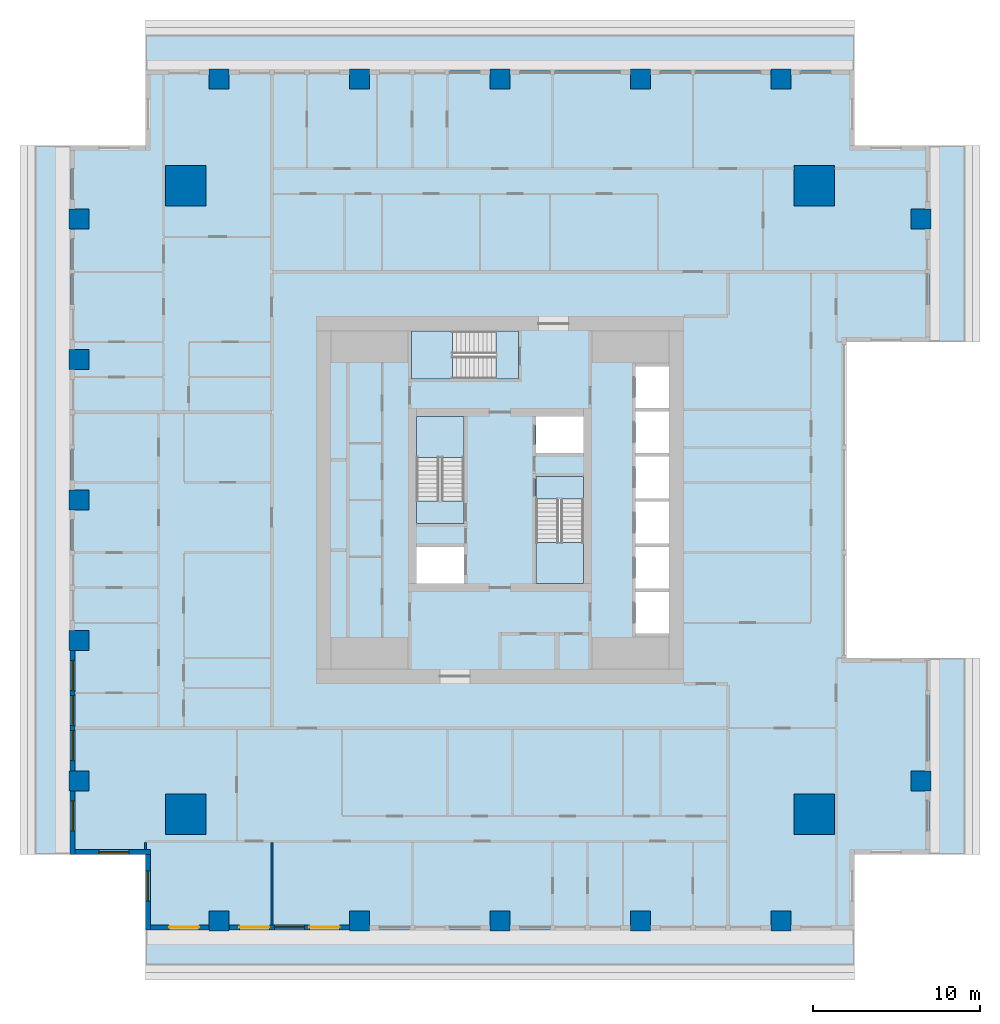
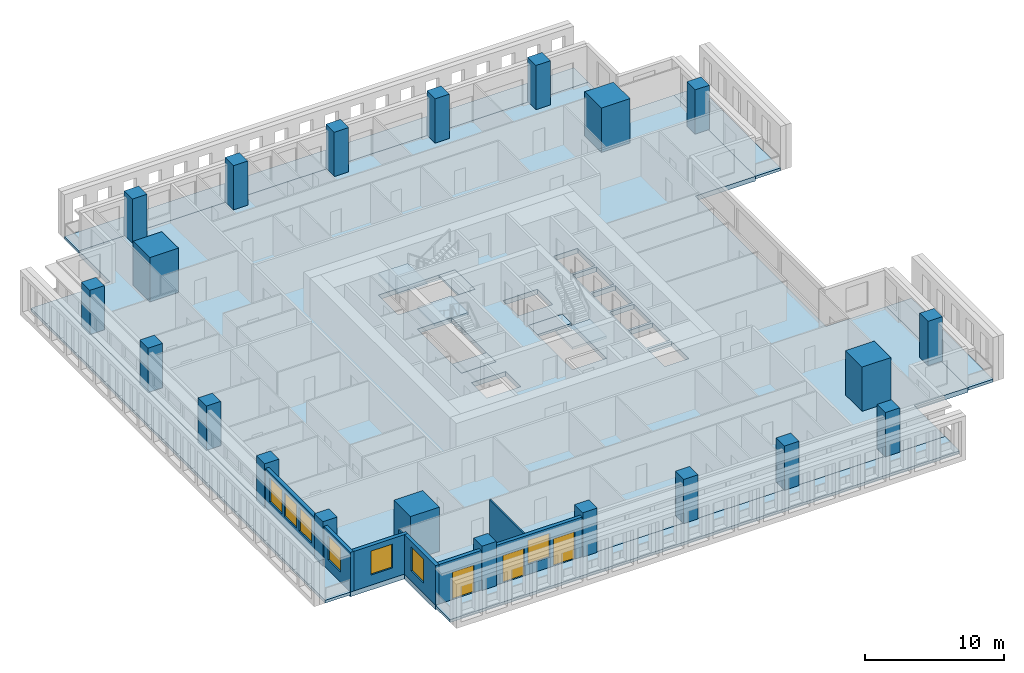
# One storey, part 1 of 15: 21 columns, 12 slabs, 8 walls, 7 windows, 3 doors, 10 openings, 3 elements without a shape of their own.
"""IFC4 building model written with IfcOpenShell, lengths in metres."""

from ifc_helpers import new_model, si_unit, direction, frame, frame_2d, origin, origin_2d, place, context, subcontext, project, spatial, polyline, rectangle, outline, extrude, material, layer, layer_set, material_profile, profile_set, type_object, element, fill, aggregate, save


model = new_model("IFC4")

# Units and contexts
model_context = context("Model", 3, precision=1e-05, world=origin(), true_north=direction((0.0, 1.0)))
body_context = subcontext(model_context, "Body", "Model", "MODEL_VIEW")
ifc_project = project(units=[si_unit("LENGTHUNIT", "METRE"), si_unit("AREAUNIT", "SQUARE_METRE"), si_unit("VOLUMEUNIT", "CUBIC_METRE"), si_unit("PLANEANGLEUNIT", "RADIAN"), si_unit("MASSUNIT", "GRAM", prefix="KILO")], contexts=[model_context])

# Site, building, storey
site_placement = place(None, origin())
site = spatial("IfcSite", under=ifc_project, at=site_placement, CompositionType="ELEMENT")
building_placement = place(site_placement, origin())
building = spatial("IfcBuilding", under=site, at=building_placement, Name="Khepri Terraces", CompositionType="ELEMENT")
storey_placement = place(building_placement, frame((0.0, 0.0, 215.699951171875)))
storey = spatial("IfcBuildingStorey", under=building, at=storey_placement, Name="L51", CompositionType="ELEMENT", Elevation=215.699951171875)

# Columns
ifc_material_1 = material(Name="Concrete C50/60", Category="concrete")
ifc_material_profile_1 = material_profile(ifc_material_1, rectangle(XDim=2.39990234375, YDim=2.39990234375, at=origin_2d()), Name="Concrete C50/60", Category="concrete")
ifc_profile_set_1 = profile_set([ifc_material_profile_1], Name="Concrete C50/60")
column_type_1 = type_object("IfcColumnType", Name="Mega column RC 2400x2400 C50/60", PredefinedType="COLUMN", material=ifc_profile_set_1)
for number, where, z_axis, x_axis, name in (
    (1, (18.800048828125, 18.800048828125, 0.0), (0.0, 0.0, 1.0), (1.0, 0.0, 0.0), "Mega column MEN L51"),
    (2, (18.800048828125, -18.800048828125, 0.0), (0.0, 0.0, 1.0), (1.0, 0.0, 0.0), "Mega column MES L51"),
    (3, (-18.800048828125, 18.800048828125, 0.0), (0.0, 0.0, 1.0), (1.0, 0.0, 0.0), "Mega column MWN L51"),
    (4, (-18.800048828125, -18.800048828125, 0.0), (0.0, 0.0, 1.0), (1.0, 0.0, 0.0), "Mega column MWS L51"),
):
    element("IfcColumn", number, at=place(storey_placement, frame(where, z_axis=z_axis, x_axis=x_axis)), inside=storey, type_object=column_type_1, Name=name, PredefinedType="COLUMN", context=body_context, shape_type="SweptSolid", body=[
        extrude(rectangle(XDim=2.39990234375, YDim=2.39990234375, at=origin_2d()), origin(), (0.0, 0.0, 1.0), 3.900146484375),
    ])
ifc_material_profile_2 = material_profile(ifc_material_1, rectangle(XDim=1.199951171875, YDim=1.199951171875, at=origin_2d()), Name="Concrete C50/60", Category="concrete")
ifc_profile_set_2 = profile_set([ifc_material_profile_2], Name="Concrete C50/60")
column_type_2 = type_object("IfcColumnType", Name="Tower column RC 1200x1200 C50/60", PredefinedType="COLUMN", material=ifc_profile_set_2)
for number, where, z_axis, x_axis, name in (
    (5, (25.199951171875, 16.800048828125, 0.0), (0.0, 0.0, 1.0), (1.0, 0.0, 0.0), "Perimeter column PE+168a L51"),
    (6, (25.199951171875, -16.800048828125, 0.0), (0.0, 0.0, 1.0), (1.0, 0.0, 0.0), "Perimeter column PE-168a L51"),
    (7, (0.0, 25.199951171875, 0.0), (0.0, 0.0, 1.0), (1.0, 0.0, 0.0), "Perimeter column PN+000b L51"),
    (8, (-8.39990234375, 25.199951171875, 0.0), (0.0, 0.0, 1.0), (1.0, 0.0, 0.0), "Perimeter column PN+084b L51"),
    (9, (-16.800048828125, 25.199951171875, 0.0), (0.0, 0.0, 1.0), (1.0, 0.0, 0.0), "Perimeter column PN+168a L51"),
    (10, (8.39990234375, 25.199951171875, 0.0), (0.0, 0.0, 1.0), (1.0, 0.0, 0.0), "Perimeter column PN-084b L51"),
    (11, (16.800048828125, 25.199951171875, 0.0), (0.0, 0.0, 1.0), (1.0, 0.0, 0.0), "Perimeter column PN-168a L51"),
    (12, (0.0, -25.199951171875, 0.0), (0.0, 0.0, 1.0), (1.0, 0.0, 0.0), "Perimeter column PS+000b L51"),
    (13, (8.39990234375, -25.199951171875, 0.0), (0.0, 0.0, 1.0), (1.0, 0.0, 0.0), "Perimeter column PS+084b L51"),
    (14, (16.800048828125, -25.199951171875, 0.0), (0.0, 0.0, 1.0), (1.0, 0.0, 0.0), "Perimeter column PS+168a L51"),
    (15, (-8.39990234375, -25.199951171875, 0.0), (0.0, 0.0, 1.0), (1.0, 0.0, 0.0), "Perimeter column PS-084b L51"),
    (16, (-16.800048828125, -25.199951171875, 0.0), (0.0, 0.0, 1.0), (1.0, 0.0, 0.0), "Perimeter column PS-168a L51"),
    (17, (-25.199951171875, 0.0, 0.0), (0.0, 0.0, 1.0), (1.0, 0.0, 0.0), "Perimeter column PW+000b L51"),
    (18, (-25.199951171875, -8.39990234375, 0.0), (0.0, 0.0, 1.0), (1.0, 0.0, 0.0), "Perimeter column PW+084b L51"),
    (19, (-25.199951171875, -16.800048828125, 0.0), (0.0, 0.0, 1.0), (1.0, 0.0, 0.0), "Perimeter column PW+168a L51"),
    (20, (-25.199951171875, 8.39990234375, 0.0), (0.0, 0.0, 1.0), (1.0, 0.0, 0.0), "Perimeter column PW-084b L51"),
    (21, (-25.199951171875, 16.800048828125, 0.0), (0.0, 0.0, 1.0), (1.0, 0.0, 0.0), "Perimeter column PW-168a L51"),
):
    element("IfcColumn", number, at=place(storey_placement, frame(where, z_axis=z_axis, x_axis=x_axis)), inside=storey, type_object=column_type_2, Name=name, PredefinedType="COLUMN", context=body_context, shape_type="SweptSolid", body=[
        extrude(rectangle(XDim=1.199951171875, YDim=1.199951171875, at=origin_2d()), origin(), (0.0, 0.0, 1.0), 3.900146484375),
    ])

# Slabs
ifc_material_2 = material(Name="Concrete C40/50", Category="concrete")
ifc_layer_1 = layer(ifc_material_2, 0.419921875, Name="Concrete C40/50", Category="concrete")
ifc_layer_set_1 = layer_set([ifc_layer_1], Name="Concrete C40/50")
slab_type_1 = type_object("IfcSlabType", Name="Flat plate 420", PredefinedType="FLOOR", material=ifc_layer_set_1)
slab_1_placement = place(storey_placement, frame((0.0, 0.0, -0.419921875)))
element("IfcSlab", 22, at=slab_1_placement, inside=storey, type_object=slab_type_1, Name="Floor slab F01 L51", PredefinedType="FLOOR", context=body_context, shape_type="SweptSolid", body=[
    extrude(outline(polyline([(25.719970703125, 9.449951171875), (20.719970703125, 9.449951171875), (20.719970703125, -9.449951171875), (25.719970703125, -9.449951171875), (25.719970703125, -21.219970703125), (21.219970703125, -21.219970703125), (21.219970703125, -25.719970703125), (-21.219970703125, -25.719970703125), (-21.219970703125, -21.219970703125), (-25.719970703125, -21.219970703125), (-25.719970703125, 21.219970703125), (-21.219970703125, 21.219970703125), (-21.219970703125, 25.719970703125), (21.219970703125, 25.719970703125), (21.219970703125, 21.219970703125), (25.719970703125, 21.219970703125), (25.719970703125, 9.449951171875)]), holes=[polyline([(2.14990234375, 2.800048828125), (5.0, 2.800048828125), (5.0, 5.0), (2.14990234375, 5.0), (2.14990234375, 2.800048828125)]), polyline([(-5.0, -2.800048828125), (-5.0, -5.0), (-2.14990234375, -5.0), (-2.14990234375, -2.800048828125), (-5.0, -2.800048828125)]), polyline([(10.10009765625, -5.5), (8.10009765625, -5.5), (8.10009765625, -8.0), (10.10009765625, -8.0), (10.10009765625, -5.5)]), polyline([(10.10009765625, -5.300048828125), (10.10009765625, -2.800048828125), (8.10009765625, -2.800048828125), (8.10009765625, -5.300048828125), (10.10009765625, -5.300048828125)]), polyline([(8.10009765625, -2.60009765625), (10.10009765625, -2.60009765625), (10.10009765625, -0.10009765625), (8.10009765625, -0.10009765625), (8.10009765625, -2.60009765625)]), polyline([(8.10009765625, 2.60009765625), (8.10009765625, 0.10009765625), (10.10009765625, 0.10009765625), (10.10009765625, 2.60009765625), (8.10009765625, 2.60009765625)]), polyline([(10.10009765625, 5.300048828125), (8.10009765625, 5.300048828125), (8.10009765625, 2.800048828125), (10.10009765625, 2.800048828125), (10.10009765625, 5.300048828125)]), polyline([(10.10009765625, 5.5), (10.10009765625, 8.0), (8.10009765625, 8.0), (8.10009765625, 5.5), (10.10009765625, 5.5)]), polyline([(-5.0, -1.39990234375), (-2.14990234375, -1.39990234375), (-2.14990234375, 5.0), (-5.0, 5.0), (-5.0, -1.39990234375)]), polyline([(5.0, -5.0), (5.0, 1.39990234375), (2.14990234375, 1.39990234375), (2.14990234375, -5.0), (5.0, -5.0)]), polyline([(-5.300048828125, 10.10009765625), (-5.300048828125, 7.25), (1.10009765625, 7.25), (1.10009765625, 10.10009765625), (-5.300048828125, 10.10009765625)])]), origin(), (0.0, 0.0, 1.0), 0.419921875),
])
ifc_material_3 = material(Name="Precast concrete C50/60 warm stone", Category="masonry")
ifc_layer_2 = layer(ifc_material_3, 0.25, Name="Precast concrete C50/60 warm stone", Category="masonry")
ifc_layer_set_2 = layer_set([ifc_layer_2], Name="Precast concrete C50/60 warm stone")
slab_type_2 = type_object("IfcSlabType", Name="SLB-BALCONY-250", PredefinedType="FLOOR", material=ifc_layer_set_2)
slab_2_placement = place(storey_placement, frame((0.0, 0.0, -0.25)))
element("IfcSlab", 23, at=slab_2_placement, inside=storey, type_object=slab_type_2, Name="Balcony slab L51 S", PredefinedType="FLOOR", context=body_context, shape_type="SweptSolid", body=[
    extrude(outline(polyline([(-17.39990234375, -25.719970703125), (-21.219970703125, -25.719970703125), (-21.219970703125, -27.820068359375), (21.219970703125, -27.820068359375), (21.219970703125, -25.719970703125), (17.39990234375, -25.719970703125), (17.39990234375, -25.800048828125), (16.199951171875, -25.800048828125), (16.199951171875, -25.719970703125), (9.0, -25.719970703125), (9.0, -25.800048828125), (7.800048828125, -25.800048828125), (7.800048828125, -25.719970703125), (0.60009765625, -25.719970703125), (0.60009765625, -25.800048828125), (-0.60009765625, -25.800048828125), (-0.60009765625, -25.719970703125), (-7.800048828125, -25.719970703125), (-7.800048828125, -25.800048828125), (-9.0, -25.800048828125), (-9.0, -25.719970703125), (-16.199951171875, -25.719970703125), (-16.199951171875, -25.800048828125), (-17.39990234375, -25.800048828125), (-17.39990234375, -25.719970703125)])), origin(), (0.0, 0.0, 1.0), 0.25),
])
slab_3_placement = place(storey_placement, frame((0.0, 0.0, -0.25)))
element("IfcSlab", 24, at=slab_3_placement, inside=storey, type_object=slab_type_2, Name="Balcony slab L51 E", PredefinedType="FLOOR", context=body_context, shape_type="SweptSolid", body=[
    extrude(outline(polyline([(25.719970703125, -17.39990234375), (25.719970703125, -21.219970703125), (27.820068359375, -21.219970703125), (27.820068359375, -9.449951171875), (25.719970703125, -9.449951171875), (25.719970703125, -16.199951171875), (25.800048828125, -16.199951171875), (25.800048828125, -17.39990234375), (25.719970703125, -17.39990234375)])), origin(), (0.0, 0.0, 1.0), 0.25),
])
slab_4_placement = place(storey_placement, frame((0.0, 0.0, -0.25)))
element("IfcSlab", 25, at=slab_4_placement, inside=storey, type_object=slab_type_2, Name="Balcony slab L51 E", PredefinedType="FLOOR", context=body_context, shape_type="SweptSolid", body=[
    extrude(outline(polyline([(25.719970703125, 16.199951171875), (25.719970703125, 9.449951171875), (27.820068359375, 9.449951171875), (27.820068359375, 21.219970703125), (25.719970703125, 21.219970703125), (25.719970703125, 17.39990234375), (25.800048828125, 17.39990234375), (25.800048828125, 16.199951171875), (25.719970703125, 16.199951171875)])), origin(), (0.0, 0.0, 1.0), 0.25),
])
slab_5_placement = place(storey_placement, frame((0.0, 0.0, -0.25)))
element("IfcSlab", 26, at=slab_5_placement, inside=storey, type_object=slab_type_2, Name="Balcony slab L51 N", PredefinedType="FLOOR", context=body_context, shape_type="SweptSolid", body=[
    extrude(outline(polyline([(17.39990234375, 25.719970703125), (21.219970703125, 25.719970703125), (21.219970703125, 27.820068359375), (-21.219970703125, 27.820068359375), (-21.219970703125, 25.719970703125), (-17.39990234375, 25.719970703125), (-17.39990234375, 25.800048828125), (-16.199951171875, 25.800048828125), (-16.199951171875, 25.719970703125), (-9.0, 25.719970703125), (-9.0, 25.800048828125), (-7.800048828125, 25.800048828125), (-7.800048828125, 25.719970703125), (-0.60009765625, 25.719970703125), (-0.60009765625, 25.800048828125), (0.60009765625, 25.800048828125), (0.60009765625, 25.719970703125), (7.800048828125, 25.719970703125), (7.800048828125, 25.800048828125), (9.0, 25.800048828125), (9.0, 25.719970703125), (16.199951171875, 25.719970703125), (16.199951171875, 25.800048828125), (17.39990234375, 25.800048828125), (17.39990234375, 25.719970703125)])), origin(), (0.0, 0.0, 1.0), 0.25),
])
slab_6_placement = place(storey_placement, frame((0.0, 0.0, -0.25)))
element("IfcSlab", 27, at=slab_6_placement, inside=storey, type_object=slab_type_2, Name="Balcony slab L51 W", PredefinedType="FLOOR", context=body_context, shape_type="SweptSolid", body=[
    extrude(outline(polyline([(-25.719970703125, 17.39990234375), (-25.719970703125, 21.219970703125), (-27.820068359375, 21.219970703125), (-27.820068359375, -21.219970703125), (-25.719970703125, -21.219970703125), (-25.719970703125, -17.39990234375), (-25.800048828125, -17.39990234375), (-25.800048828125, -16.199951171875), (-25.719970703125, -16.199951171875), (-25.719970703125, -9.0), (-25.800048828125, -9.0), (-25.800048828125, -7.800048828125), (-25.719970703125, -7.800048828125), (-25.719970703125, -0.60009765625), (-25.800048828125, -0.60009765625), (-25.800048828125, 0.60009765625), (-25.719970703125, 0.60009765625), (-25.719970703125, 7.800048828125), (-25.800048828125, 7.800048828125), (-25.800048828125, 9.0), (-25.719970703125, 9.0), (-25.719970703125, 16.199951171875), (-25.800048828125, 16.199951171875), (-25.800048828125, 17.39990234375), (-25.719970703125, 17.39990234375)])), origin(), (0.0, 0.0, 1.0), 0.25),
])

# Stair, slabs
stair_type = type_object("IfcStairType", Name="STAIR-RC-22R", PredefinedType="HALF_TURN_STAIR", material=ifc_material_2)
stair_1_placement = place(storey_placement, origin())
stair_1 = element("IfcStair", 28, at=stair_1_placement, inside=storey, type_object=stair_type, Name="L51 Exit Stair ST-1", PredefinedType="HALF_TURN_STAIR")
ifc_layer_3 = layer(ifc_material_2, 0.199951171875, Name="Concrete C40/50", Category="concrete")
ifc_layer_set_3 = layer_set([ifc_layer_3], Name="Concrete C40/50")
slab_type_3 = type_object("IfcSlabType", Name="SLB-CORE-LANDING", PredefinedType="LANDING", material=ifc_layer_set_3)
slab_7_placement = place(storey_placement, frame((0.0, 0.0, -0.199951171875)))
slab_7 = element("IfcSlab", 29, at=slab_7_placement, type_object=slab_type_3, Name="ST-1 landing 1", PredefinedType="LANDING", context=body_context, shape_type="SweptSolid", body=[
    extrude(outline(polyline([(-2.14990234375, -1.39990234375), (-2.14990234375, -0.050048828125), (-5.0, -0.050048828125), (-5.0, -1.39990234375), (-2.14990234375, -1.39990234375)])), origin(), (0.0, 0.0, 1.0), 0.199951171875),
])
slab_8_placement = place(storey_placement, frame((0.0, 0.0, 1.75)))
slab_8 = element("IfcSlab", 30, at=slab_8_placement, type_object=slab_type_3, Name="ST-1 landing 2", PredefinedType="LANDING", context=body_context, shape_type="SweptSolid", body=[
    extrude(outline(polyline([(-2.14990234375, 2.550048828125), (-2.14990234375, 5.0), (-5.0, 5.0), (-5.0, 2.550048828125), (-2.14990234375, 2.550048828125)])), origin(), (0.0, 0.0, 1.0), 0.199951171875),
])
aggregate(stair_1, [slab_7, slab_8])

stair_2_placement = place(storey_placement, origin())
stair_2 = element("IfcStair", 31, at=stair_2_placement, inside=storey, type_object=stair_type, Name="L51 Exit Stair ST-2", PredefinedType="HALF_TURN_STAIR")
slab_9_placement = place(storey_placement, frame((0.0, 0.0, -0.199951171875)))
slab_9 = element("IfcSlab", 32, at=slab_9_placement, type_object=slab_type_3, Name="ST-2 landing 1", PredefinedType="LANDING", context=body_context, shape_type="SweptSolid", body=[
    extrude(outline(polyline([(2.14990234375, 1.39990234375), (2.14990234375, 0.050048828125), (5.0, 0.050048828125), (5.0, 1.39990234375), (2.14990234375, 1.39990234375)])), origin(), (0.0, 0.0, 1.0), 0.199951171875),
])
slab_10_placement = place(storey_placement, frame((0.0, 0.0, 1.75)))
slab_10 = element("IfcSlab", 33, at=slab_10_placement, type_object=slab_type_3, Name="ST-2 landing 2", PredefinedType="LANDING", context=body_context, shape_type="SweptSolid", body=[
    extrude(outline(polyline([(2.14990234375, -2.550048828125), (2.14990234375, -5.0), (5.0, -5.0), (5.0, -2.550048828125), (2.14990234375, -2.550048828125)])), origin(), (0.0, 0.0, 1.0), 0.199951171875),
])
aggregate(stair_2, [slab_9, slab_10])

stair_3_placement = place(storey_placement, origin())
stair_3 = element("IfcStair", 34, at=stair_3_placement, inside=storey, type_object=stair_type, Name="L51 Exit Stair ST-3", PredefinedType="HALF_TURN_STAIR")
slab_11_placement = place(storey_placement, frame((0.0, 0.0, -0.199951171875)))
slab_11 = element("IfcSlab", 35, at=slab_11_placement, type_object=slab_type_3, Name="ST-3 landing 1", PredefinedType="LANDING", context=body_context, shape_type="SweptSolid", body=[
    extrude(outline(polyline([(1.10009765625, 10.10009765625), (-0.25, 10.10009765625), (-0.25, 7.25), (1.10009765625, 7.25), (1.10009765625, 10.10009765625)])), origin(), (0.0, 0.0, 1.0), 0.199951171875),
])
slab_12_placement = place(storey_placement, frame((0.0, 0.0, 1.75)))
slab_12 = element("IfcSlab", 36, at=slab_12_placement, type_object=slab_type_3, Name="ST-3 landing 2", PredefinedType="LANDING", context=body_context, shape_type="SweptSolid", body=[
    extrude(outline(polyline([(-2.85009765625, 10.10009765625), (-5.300048828125, 10.10009765625), (-5.300048828125, 7.25), (-2.85009765625, 7.25), (-2.85009765625, 10.10009765625)])), origin(), (0.0, 0.0, 1.0), 0.199951171875),
])
aggregate(stair_3, [slab_11, slab_12])

# Wall, openings, windows
ifc_layer_4 = layer(ifc_material_3, 0.300048828125, Name="Precast concrete C50/60 warm stone", Category="masonry")
ifc_layer_set_4 = layer_set([ifc_layer_4], Name="Precast concrete C50/60 warm stone")
wall_type_1 = type_object("IfcWallType", Name="WL-EXT-PRECAST-300", PredefinedType="STANDARD", material=ifc_layer_set_4)
wall_1_placement = place(storey_placement, frame((-25.570068359375, -9.0, 0.0), z_axis=(0.0, 0.0, 1.0), x_axis=(0.0, -1.0, 0.0)))
wall_1 = element("IfcWall", 37, at=wall_1_placement, inside=storey, type_object=wall_type_1, Name="External wall L51 W", PredefinedType="STANDARD", context=body_context, shape_type="SweptSolid", body=[
    extrude(rectangle(XDim=7.199951171875, YDim=0.300048828125, at=frame_2d((3.60009765625, 0.0))), origin(), (0.0, 0.0, 1.0), 3.47998046875),
])
opening_1_placement = place(wall_1_placement, frame((0.60009765625, 0.0, 0.89990234375)))
opening_1 = element("IfcOpeningElement", 38, at=opening_1_placement, cuts=wall_1, Name="Opening W1", PredefinedType="OPENING", context=body_context, shape_type="SweptSolid", body=[
    extrude(rectangle(XDim=1.800048828125, YDim=2.10009765625, at=frame_2d((0.89990234375, 1.050048828125))), frame((0.0, 0.16015625, 0.0), z_axis=(0.0, -1.0, 0.0), x_axis=(1.0, 0.0, 0.0)), (0.0, 0.0, 1.0), 0.320068359375),
])
opening_2_placement = place(wall_1_placement, frame((2.699951171875, 0.0, 0.89990234375)))
opening_2 = element("IfcOpeningElement", 39, at=opening_2_placement, cuts=wall_1, Name="Opening W1", PredefinedType="OPENING", context=body_context, shape_type="SweptSolid", body=[
    extrude(rectangle(XDim=1.800048828125, YDim=2.10009765625, at=frame_2d((0.89990234375, 1.050048828125))), frame((0.0, 0.16015625, 0.0), z_axis=(0.0, -1.0, 0.0), x_axis=(1.0, 0.0, 0.0)), (0.0, 0.0, 1.0), 0.320068359375),
])
opening_3_placement = place(wall_1_placement, frame((4.800048828125, 0.0, 0.89990234375)))
opening_3 = element("IfcOpeningElement", 40, at=opening_3_placement, cuts=wall_1, Name="Opening W1", PredefinedType="OPENING", context=body_context, shape_type="SweptSolid", body=[
    extrude(rectangle(XDim=1.800048828125, YDim=2.10009765625, at=frame_2d((0.89990234375, 1.050048828125))), frame((0.0, 0.16015625, 0.0), z_axis=(0.0, -1.0, 0.0), x_axis=(1.0, 0.0, 0.0)), (0.0, 0.0, 1.0), 0.320068359375),
])
ifc_material_4 = material(Name="Clear glass", Category="glass")
window_type = type_object("IfcWindowType", Name="WIN-RES-1800x2100", PartitioningType="SINGLE_PANEL", PredefinedType="WINDOW", material=ifc_material_4)
window_1_placement = place(opening_1_placement, origin())
window_1 = element("IfcWindow", 41, at=window_1_placement, inside=storey, type_object=window_type, Name="Window L51 W", OverallHeight=2.10009765625, OverallWidth=1.800048828125, PartitioningType="SINGLE_PANEL", PredefinedType="WINDOW", context=body_context, shape_type="SweptSolid", body=[
    extrude(rectangle(XDim=1.800048828125, YDim=2.10009765625, at=frame_2d((0.89990234375, 1.050048828125))), frame((0.0, 0.030029296875, 0.0), z_axis=(0.0, -1.0, 0.0), x_axis=(1.0, 0.0, 0.0)), (0.0, 0.0, 1.0), 0.06005859375),
])
fill(opening_1, window_1)
window_2_placement = place(opening_2_placement, origin())
window_2 = element("IfcWindow", 42, at=window_2_placement, inside=storey, type_object=window_type, Name="Window L51 W", OverallHeight=2.10009765625, OverallWidth=1.800048828125, PartitioningType="SINGLE_PANEL", PredefinedType="WINDOW", context=body_context, shape_type="SweptSolid", body=[
    extrude(rectangle(XDim=1.800048828125, YDim=2.10009765625, at=frame_2d((0.89990234375, 1.050048828125))), frame((0.0, 0.030029296875, 0.0), z_axis=(0.0, -1.0, 0.0), x_axis=(1.0, 0.0, 0.0)), (0.0, 0.0, 1.0), 0.06005859375),
])
fill(opening_2, window_2)
window_3_placement = place(opening_3_placement, origin())
window_3 = element("IfcWindow", 43, at=window_3_placement, inside=storey, type_object=window_type, Name="Window L51 W", OverallHeight=2.10009765625, OverallWidth=1.800048828125, PartitioningType="SINGLE_PANEL", PredefinedType="WINDOW", context=body_context, shape_type="SweptSolid", body=[
    extrude(rectangle(XDim=1.800048828125, YDim=2.10009765625, at=frame_2d((0.89990234375, 1.050048828125))), frame((0.0, 0.030029296875, 0.0), z_axis=(0.0, -1.0, 0.0), x_axis=(1.0, 0.0, 0.0)), (0.0, 0.0, 1.0), 0.06005859375),
])
fill(opening_3, window_3)

# Wall, opening, window
wall_2_placement = place(storey_placement, frame((-25.570068359375, -17.39990234375, 0.0), z_axis=(0.0, 0.0, 1.0), x_axis=(0.0, -1.0, 0.0)))
wall_2 = element("IfcWall", 44, at=wall_2_placement, inside=storey, type_object=wall_type_1, Name="External wall L51 W", PredefinedType="STANDARD", context=body_context, shape_type="SweptSolid", body=[
    extrude(rectangle(XDim=3.820068359375, YDim=0.300048828125, at=frame_2d((1.91015625, 0.0))), origin(), (0.0, 0.0, 1.0), 3.47998046875),
])
opening_4_placement = place(wall_2_placement, frame((0.60009765625, 0.0, 0.89990234375)))
opening_4 = element("IfcOpeningElement", 45, at=opening_4_placement, cuts=wall_2, Name="Opening W1", PredefinedType="OPENING", context=body_context, shape_type="SweptSolid", body=[
    extrude(rectangle(XDim=1.800048828125, YDim=2.10009765625, at=frame_2d((0.89990234375, 1.050048828125))), frame((0.0, 0.16015625, 0.0), z_axis=(0.0, -1.0, 0.0), x_axis=(1.0, 0.0, 0.0)), (0.0, 0.0, 1.0), 0.320068359375),
])
window_4_placement = place(opening_4_placement, origin())
window_4 = element("IfcWindow", 46, at=window_4_placement, inside=storey, type_object=window_type, Name="Window L51 W", OverallHeight=2.10009765625, OverallWidth=1.800048828125, PartitioningType="SINGLE_PANEL", PredefinedType="WINDOW", context=body_context, shape_type="SweptSolid", body=[
    extrude(rectangle(XDim=1.800048828125, YDim=2.10009765625, at=frame_2d((0.89990234375, 1.050048828125))), frame((0.0, 0.030029296875, 0.0), z_axis=(0.0, -1.0, 0.0), x_axis=(1.0, 0.0, 0.0)), (0.0, 0.0, 1.0), 0.06005859375),
])
fill(opening_4, window_4)

wall_3_placement = place(storey_placement, frame((-25.419921875, -21.070068359375, 0.0), z_axis=(0.0, 0.0, 1.0), x_axis=(1.0, 0.0, 0.0)))
wall_3 = element("IfcWall", 47, at=wall_3_placement, inside=storey, type_object=wall_type_1, Name="External wall L51 S", PredefinedType="STANDARD", context=body_context, shape_type="SweptSolid", body=[
    extrude(rectangle(XDim=4.5, YDim=0.300048828125, at=frame_2d((2.25, 0.0))), origin(), (0.0, 0.0, 1.0), 3.47998046875),
])
opening_5_placement = place(wall_3_placement, frame((1.419921875, 0.0, 0.89990234375)))
opening_5 = element("IfcOpeningElement", 48, at=opening_5_placement, cuts=wall_3, Name="Opening W1", PredefinedType="OPENING", context=body_context, shape_type="SweptSolid", body=[
    extrude(rectangle(XDim=1.800048828125, YDim=2.10009765625, at=frame_2d((0.89990234375, 1.050048828125))), frame((0.0, 0.16015625, 0.0), z_axis=(0.0, -1.0, 0.0), x_axis=(1.0, 0.0, 0.0)), (0.0, 0.0, 1.0), 0.320068359375),
])
window_5_placement = place(opening_5_placement, origin())
window_5 = element("IfcWindow", 49, at=window_5_placement, inside=storey, type_object=window_type, Name="Window L51 S", OverallHeight=2.10009765625, OverallWidth=1.800048828125, PartitioningType="SINGLE_PANEL", PredefinedType="WINDOW", context=body_context, shape_type="SweptSolid", body=[
    extrude(rectangle(XDim=1.800048828125, YDim=2.10009765625, at=frame_2d((0.89990234375, 1.050048828125))), frame((0.0, 0.030029296875, 0.0), z_axis=(0.0, -1.0, 0.0), x_axis=(1.0, 0.0, 0.0)), (0.0, 0.0, 1.0), 0.06005859375),
])
fill(opening_5, window_5)

wall_4_placement = place(storey_placement, frame((-21.070068359375, -21.219970703125, 0.0), z_axis=(0.0, 0.0, 1.0), x_axis=(0.0, -1.0, 0.0)))
wall_4 = element("IfcWall", 50, at=wall_4_placement, inside=storey, type_object=wall_type_1, Name="External wall L51 W", PredefinedType="STANDARD", context=body_context, shape_type="SweptSolid", body=[
    extrude(rectangle(XDim=4.5, YDim=0.300048828125, at=frame_2d((2.25, 0.0))), origin(), (0.0, 0.0, 1.0), 3.47998046875),
])
opening_6_placement = place(wall_4_placement, frame((0.97998046875, 0.0, 0.89990234375)))
opening_6 = element("IfcOpeningElement", 51, at=opening_6_placement, cuts=wall_4, Name="Opening W1", PredefinedType="OPENING", context=body_context, shape_type="SweptSolid", body=[
    extrude(rectangle(XDim=1.800048828125, YDim=2.10009765625, at=frame_2d((0.89990234375, 1.050048828125))), frame((0.0, 0.16015625, 0.0), z_axis=(0.0, -1.0, 0.0), x_axis=(1.0, 0.0, 0.0)), (0.0, 0.0, 1.0), 0.320068359375),
])
window_6_placement = place(opening_6_placement, origin())
window_6 = element("IfcWindow", 52, at=window_6_placement, inside=storey, type_object=window_type, Name="Window L51 W", OverallHeight=2.10009765625, OverallWidth=1.800048828125, PartitioningType="SINGLE_PANEL", PredefinedType="WINDOW", context=body_context, shape_type="SweptSolid", body=[
    extrude(rectangle(XDim=1.800048828125, YDim=2.10009765625, at=frame_2d((0.89990234375, 1.050048828125))), frame((0.0, 0.030029296875, 0.0), z_axis=(0.0, -1.0, 0.0), x_axis=(1.0, 0.0, 0.0)), (0.0, 0.0, 1.0), 0.06005859375),
])
fill(opening_6, window_6)

# Wall, opening, door
wall_5_placement = place(storey_placement, frame((-20.919921875, -25.570068359375, 0.0), z_axis=(0.0, 0.0, 1.0), x_axis=(1.0, 0.0, 0.0)))
wall_5 = element("IfcWall", 53, at=wall_5_placement, inside=storey, type_object=wall_type_1, Name="External wall L51 S", PredefinedType="STANDARD", context=body_context, shape_type="SweptSolid", body=[
    extrude(rectangle(XDim=3.52001953125, YDim=0.300048828125, at=frame_2d((1.760009765625, 0.0))), origin(), (0.0, 0.0, 1.0), 3.47998046875),
])
opening_7_placement = place(wall_5_placement, frame((1.1201171875, 0.0, 0.0)))
opening_7 = element("IfcOpeningElement", 54, at=opening_7_placement, cuts=wall_5, Name="Opening ED-L51-15", PredefinedType="OPENING", context=body_context, shape_type="SweptSolid", body=[
    extrude(rectangle(XDim=1.800048828125, YDim=2.39990234375, at=frame_2d((0.89990234375, 1.199951171875))), frame((0.0, 0.16015625, 0.0), z_axis=(0.0, -1.0, 0.0), x_axis=(1.0, 0.0, 0.0)), (0.0, 0.0, 1.0), 0.320068359375),
])
ifc_material_5 = material(Name="Anodised aluminium bronze glazed door", Category="aluminium")
door_type = type_object("IfcDoorType", Name="DR-BAL-SLIDE-1800x2400", OperationType="NOTDEFINED", PredefinedType="DOOR", material=ifc_material_5)
door_1_placement = place(opening_7_placement, origin())
door_1 = element("IfcDoor", 55, at=door_1_placement, inside=storey, type_object=door_type, Name="Balcony door L51 S", OperationType="SLIDING_TO_RIGHT", OverallHeight=2.39990234375, OverallWidth=1.800048828125, PredefinedType="DOOR", context=body_context, shape_type="SweptSolid", body=[
    extrude(rectangle(XDim=1.800048828125, YDim=2.39990234375, at=frame_2d((0.89990234375, 1.199951171875))), frame((0.0, 0.02490234375, 0.0), z_axis=(0.0, -1.0, 0.0), x_axis=(1.0, 0.0, 0.0)), (0.0, 0.0, 1.0), 0.050048828125),
])
fill(opening_7, door_1)

# Wall, openings, doors, window
wall_6_placement = place(storey_placement, frame((-16.199951171875, -25.570068359375, 0.0), z_axis=(0.0, 0.0, 1.0), x_axis=(1.0, 0.0, 0.0)))
wall_6 = element("IfcWall", 56, at=wall_6_placement, inside=storey, type_object=wall_type_1, Name="External wall L51 S", PredefinedType="STANDARD", context=body_context, shape_type="SweptSolid", body=[
    extrude(rectangle(XDim=7.199951171875, YDim=0.300048828125, at=frame_2d((3.60009765625, 0.0))), origin(), (0.0, 0.0, 1.0), 3.47998046875),
])
opening_8_placement = place(wall_6_placement, frame((0.60009765625, 0.0, 0.0)))
opening_8 = element("IfcOpeningElement", 57, at=opening_8_placement, cuts=wall_6, Name="Opening ED-L51-16", PredefinedType="OPENING", context=body_context, shape_type="SweptSolid", body=[
    extrude(rectangle(XDim=1.800048828125, YDim=2.39990234375, at=frame_2d((0.89990234375, 1.199951171875))), frame((0.0, 0.16015625, 0.0), z_axis=(0.0, -1.0, 0.0), x_axis=(1.0, 0.0, 0.0)), (0.0, 0.0, 1.0), 0.320068359375),
])
opening_9_placement = place(wall_6_placement, frame((2.699951171875, 0.0, 0.89990234375)))
opening_9 = element("IfcOpeningElement", 58, at=opening_9_placement, cuts=wall_6, Name="Opening W1", PredefinedType="OPENING", context=body_context, shape_type="SweptSolid", body=[
    extrude(rectangle(XDim=1.800048828125, YDim=2.10009765625, at=frame_2d((0.89990234375, 1.050048828125))), frame((0.0, 0.16015625, 0.0), z_axis=(0.0, -1.0, 0.0), x_axis=(1.0, 0.0, 0.0)), (0.0, 0.0, 1.0), 0.320068359375),
])
opening_10_placement = place(wall_6_placement, frame((4.800048828125, 0.0, 0.0)))
opening_10 = element("IfcOpeningElement", 59, at=opening_10_placement, cuts=wall_6, Name="Opening ED-L51-17", PredefinedType="OPENING", context=body_context, shape_type="SweptSolid", body=[
    extrude(rectangle(XDim=1.800048828125, YDim=2.39990234375, at=frame_2d((0.89990234375, 1.199951171875))), frame((0.0, 0.16015625, 0.0), z_axis=(0.0, -1.0, 0.0), x_axis=(1.0, 0.0, 0.0)), (0.0, 0.0, 1.0), 0.320068359375),
])
door_2_placement = place(opening_8_placement, origin())
door_2 = element("IfcDoor", 60, at=door_2_placement, inside=storey, type_object=door_type, Name="Balcony door L51 S", OperationType="SLIDING_TO_LEFT", OverallHeight=2.39990234375, OverallWidth=1.800048828125, PredefinedType="DOOR", context=body_context, shape_type="SweptSolid", body=[
    extrude(rectangle(XDim=1.800048828125, YDim=2.39990234375, at=frame_2d((0.89990234375, 1.199951171875))), frame((0.0, 0.02490234375, 0.0), z_axis=(0.0, -1.0, 0.0), x_axis=(1.0, 0.0, 0.0)), (0.0, 0.0, 1.0), 0.050048828125),
])
fill(opening_8, door_2)
door_3_placement = place(opening_10_placement, origin())
door_3 = element("IfcDoor", 61, at=door_3_placement, inside=storey, type_object=door_type, Name="Balcony door L51 S", OperationType="SLIDING_TO_RIGHT", OverallHeight=2.39990234375, OverallWidth=1.800048828125, PredefinedType="DOOR", context=body_context, shape_type="SweptSolid", body=[
    extrude(rectangle(XDim=1.800048828125, YDim=2.39990234375, at=frame_2d((0.89990234375, 1.199951171875))), frame((0.0, 0.02490234375, 0.0), z_axis=(0.0, -1.0, 0.0), x_axis=(1.0, 0.0, 0.0)), (0.0, 0.0, 1.0), 0.050048828125),
])
fill(opening_10, door_3)
window_7_placement = place(opening_9_placement, origin())
window_7 = element("IfcWindow", 62, at=window_7_placement, inside=storey, type_object=window_type, Name="Window L51 S", OverallHeight=2.10009765625, OverallWidth=1.800048828125, PartitioningType="SINGLE_PANEL", PredefinedType="WINDOW", context=body_context, shape_type="SweptSolid", body=[
    extrude(rectangle(XDim=1.800048828125, YDim=2.10009765625, at=frame_2d((0.89990234375, 1.050048828125))), frame((0.0, 0.030029296875, 0.0), z_axis=(0.0, -1.0, 0.0), x_axis=(1.0, 0.0, 0.0)), (0.0, 0.0, 1.0), 0.06005859375),
])
fill(opening_9, window_7)

# Walls
ifc_material_6 = material(Name="Gypsum plasterboard partition")
ifc_layer_5 = layer(ifc_material_6, 0.1201171875, Name="Gypsum plasterboard partition")
ifc_layer_set_5 = layer_set([ifc_layer_5], Name="Gypsum plasterboard partition")
wall_type_2 = type_object("IfcWallType", Name="WL-PART-120", PredefinedType="PARTITIONING", material=ifc_layer_set_5)
wall_7_placement = place(storey_placement, frame((-13.64990234375, -25.419921875, 0.0), z_axis=(0.0, 0.0, 1.0), x_axis=(0.0, 1.0, 0.0)))
element("IfcWall", 63, at=wall_7_placement, inside=storey, type_object=wall_type_2, Name="Partition P-001 L51", PredefinedType="PARTITIONING", context=body_context, shape_type="SweptSolid", body=[
    extrude(rectangle(XDim=4.93994140625, YDim=0.1201171875, at=frame_2d((2.469970703125, 0.0))), origin(), (0.0, 0.0, 1.0), 3.47998046875),
])
wall_8_placement = place(storey_placement, frame((-21.218994140625, -20.9208984375, 0.0), z_axis=(0.0, 0.0, 1.0), x_axis=(0.0, 1.0, 0.0)))
element("IfcWall", 64, at=wall_8_placement, inside=storey, type_object=wall_type_2, Name="Partition P-009 L51", PredefinedType="PARTITIONING", context=body_context, shape_type="SweptSolid", body=[
    extrude(rectangle(XDim=0.44091796875, YDim=0.1201171875, at=frame_2d((0.220458984375, 0.0))), origin(), (0.0, 0.0, 1.0), 3.47998046875),
])

save(model, "model.ifc")
